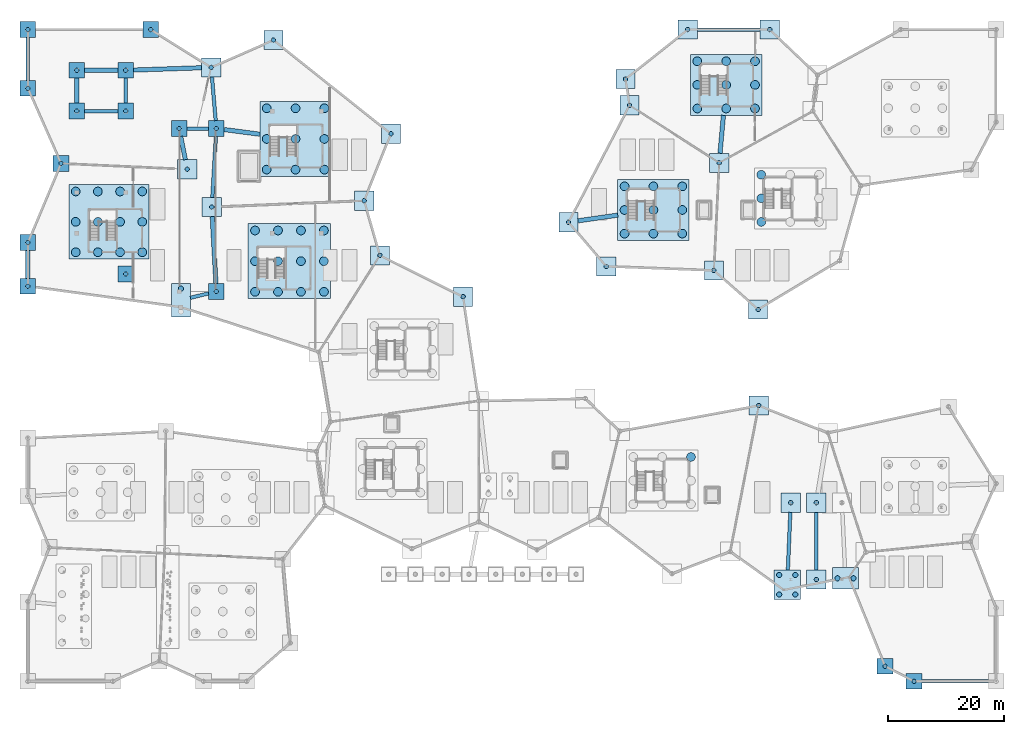
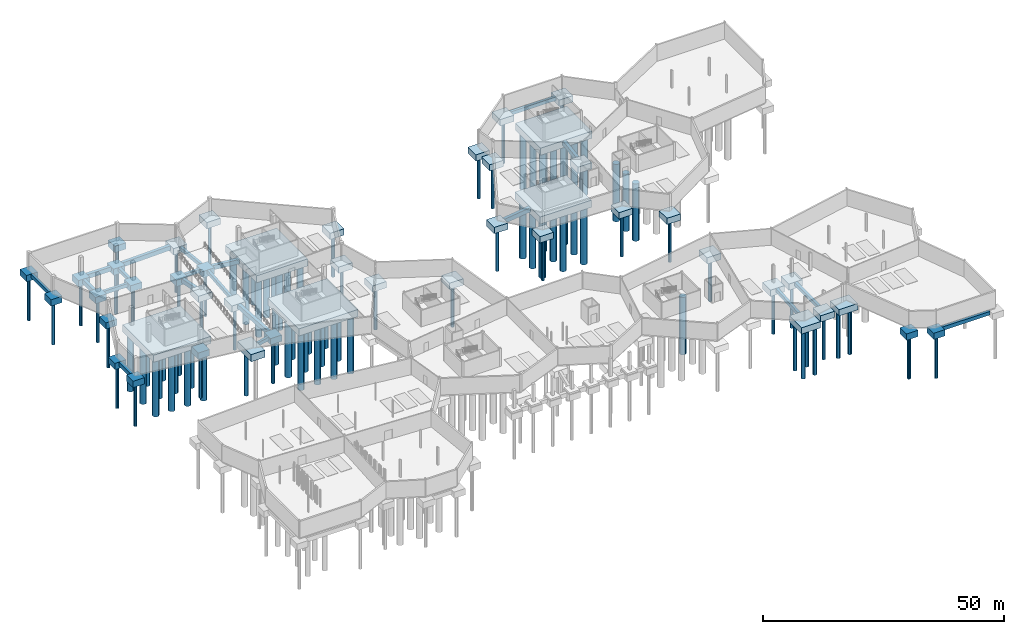
# One storey, part 2 of 37: 99 piles, 65 footings.
"""IFC4 building model written with IfcOpenShell, lengths in metres."""

from ifc_helpers import new_model, si_unit, direction, frame, origin, origin_2d, place, context, subcontext, project, spatial, rectangle, circle, extrude, material, material_profile, profile_set, type_object, element, save


model = new_model("IFC4")

# Units and contexts
model_context = context("Model", 3, precision=1e-05, world=origin(), true_north=direction((0.0, 1.0)))
body_context = subcontext(model_context, "Body", "Model", "MODEL_VIEW")
ifc_project = project(units=[si_unit("LENGTHUNIT", "METRE"), si_unit("AREAUNIT", "SQUARE_METRE"), si_unit("VOLUMEUNIT", "CUBIC_METRE"), si_unit("PLANEANGLEUNIT", "RADIAN"), si_unit("MASSUNIT", "GRAM", prefix="KILO")], contexts=[model_context])

# Site, building, storey
site_placement = place(None, origin())
site = spatial("IfcSite", under=ifc_project, at=site_placement, CompositionType="ELEMENT")
building_placement = place(site_placement, origin())
building = spatial("IfcBuilding", under=site, at=building_placement, Name="Tameran Prism Museum", CompositionType="ELEMENT")
storey_placement = place(building_placement, frame((0.0, 0.0, -4.5)))
storey = spatial("IfcBuildingStorey", under=building, at=storey_placement, Name="B1", CompositionType="ELEMENT", Elevation=-4.5)

# Footings
ifc_material_1 = material(Name="Concrete N40 (40 MPa)", Category="concrete")
ifc_material_profile_1 = material_profile(ifc_material_1, rectangle(XDim=0.60009765625, YDim=0.89990234375, at=origin_2d()))
ifc_profile_set_1 = profile_set([ifc_material_profile_1])
footing_type_1 = type_object("IfcFootingType", Name="FT-GB600", PredefinedType="FOOTING_BEAM", material=ifc_profile_set_1)
footing_1_placement = place(storey_placement, frame((0.0, 103.25, -0.8701171875), z_axis=(0.0, 1.0, 0.0), x_axis=(-1.0, 0.0, 0.0)))
element("IfcFooting", 1, at=footing_1_placement, inside=storey, type_object=footing_type_1, Name="Ground Beam GB-007", PredefinedType="FOOTING_BEAM", context=body_context, shape_type="SweptSolid", body=[
    extrude(rectangle(XDim=0.60009765625, YDim=0.89990234375, at=origin_2d()), origin(), (0.0, 0.0, 1.0), 7.39990234375),
])
footing_2_placement = place(storey_placement, frame((9.75, 98.0, -0.8701171875), z_axis=(1.0, 0.0, 0.0), x_axis=(0.0, 1.0, 0.0)))
element("IfcFooting", 2, at=footing_2_placement, inside=storey, type_object=footing_type_1, Name="Ground Beam GB-009", PredefinedType="FOOTING_BEAM", context=body_context, shape_type="SweptSolid", body=[
    extrude(rectangle(XDim=0.60009765625, YDim=0.89990234375, at=origin_2d()), origin(), (0.0, 0.0, 1.0), 5.699951171875),
])
footing_3_placement = place(storey_placement, frame((16.800048828125, 99.35009765625, -0.8701171875), z_axis=(0.0, 1.0, 0.0), x_axis=(-1.0, 0.0, 0.0)))
element("IfcFooting", 3, at=footing_3_placement, inside=storey, type_object=footing_type_1, Name="Ground Beam GB-011", PredefinedType="FOOTING_BEAM", context=body_context, shape_type="SweptSolid", body=[
    extrude(rectangle(XDim=0.60009765625, YDim=0.89990234375, at=origin_2d()), origin(), (0.0, 0.0, 1.0), 4.2998046875),
])
footing_4_placement = place(storey_placement, frame((27.949951171875, 65.906005859375, -0.8701171875), z_axis=(0.971097560698, 0.238682901791, 0.0), x_axis=(-0.238682901791, 0.971097560698, 0.0)))
element("IfcFooting", 4, at=footing_4_placement, inside=storey, type_object=footing_type_1, Name="Ground Beam GB-013", PredefinedType="FOOTING_BEAM", context=body_context, shape_type="SweptSolid", body=[
    extrude(rectangle(XDim=0.60009765625, YDim=0.89990234375, at=origin_2d()), origin(), (0.0, 0.0, 1.0), 3.1923828125),
])
footing_5_placement = place(storey_placement, frame((27.35009765625, 95.0, -0.8701171875), z_axis=(1.0, 0.0, 0.0), x_axis=(0.0, 1.0, 0.0)))
element("IfcFooting", 5, at=footing_5_placement, inside=storey, type_object=footing_type_1, Name="Ground Beam GB-015", PredefinedType="FOOTING_BEAM", context=body_context, shape_type="SweptSolid", body=[
    extrude(rectangle(XDim=0.60009765625, YDim=0.89990234375, at=origin_2d()), origin(), (0.0, 0.0, 1.0), 3.699951171875),
])
footing_6_placement = place(storey_placement, frame((31.64111328125, 103.85009765625, -0.8701171875), z_axis=(0.085396541828, -0.996347043276, 0.0), x_axis=(0.996347043276, 0.085396541828, 0.0)))
element("IfcFooting", 6, at=footing_6_placement, inside=storey, type_object=footing_type_1, Name="Ground Beam GB-017", PredefinedType="FOOTING_BEAM", context=body_context, shape_type="SweptSolid", body=[
    extrude(rectangle(XDim=0.60009765625, YDim=0.89990234375, at=origin_2d()), origin(), (0.0, 0.0, 1.0), 7.527587890625),
])
footing_7_placement = place(storey_placement, frame((31.697998046875, 83.14990234375, -0.8701171875), z_axis=(0.059141091583, 0.998249633752, 0.0), x_axis=(-0.998249633752, 0.059141091583, 0.0)))
element("IfcFooting", 7, at=footing_7_placement, inside=storey, type_object=footing_type_1, Name="Ground Beam GB-019", PredefinedType="FOOTING_BEAM", context=body_context, shape_type="SweptSolid", body=[
    extrude(rectangle(XDim=0.60009765625, YDim=0.89990234375, at=origin_2d()), origin(), (0.0, 0.0, 1.0), 10.518310546875),
])
footing_8_placement = place(storey_placement, frame((115.050048828125, 112.0, -0.8701171875), z_axis=(1.0, 0.0, 0.0), x_axis=(0.0, 1.0, 0.0)))
element("IfcFooting", 8, at=footing_8_placement, inside=storey, type_object=footing_type_1, Name="Ground Beam GB-037", PredefinedType="FOOTING_BEAM", context=body_context, shape_type="SweptSolid", body=[
    extrude(rectangle(XDim=0.60009765625, YDim=0.89990234375, at=origin_2d()), origin(), (0.0, 0.0, 1.0), 10.800048828125),
])
footing_9_placement = place(storey_placement, frame((130.60888671875, 19.14990234375, -0.8701171875), z_axis=(0.042500588446, 0.999096441782, 0.0), x_axis=(-0.999096441782, 0.042500588446, 0.0)))
element("IfcFooting", 9, at=footing_9_placement, inside=storey, type_object=footing_type_1, Name="Ground Beam GB-039", PredefinedType="FOOTING_BEAM", context=body_context, shape_type="SweptSolid", body=[
    extrude(rectangle(XDim=0.60009765625, YDim=0.89990234375, at=origin_2d()), origin(), (0.0, 0.0, 1.0), 9.9091796875),
])
footing_10_placement = place(storey_placement, frame((135.5, 19.14990234375, -0.8701171875), z_axis=(0.0, 1.0, 0.0), x_axis=(-1.0, 0.0, 0.0)))
element("IfcFooting", 10, at=footing_10_placement, inside=storey, type_object=footing_type_1, Name="Ground Beam GB-041", PredefinedType="FOOTING_BEAM", context=body_context, shape_type="SweptSolid", body=[
    extrude(rectangle(XDim=0.60009765625, YDim=0.89990234375, at=origin_2d()), origin(), (0.0, 0.0, 1.0), 9.900146484375),
])
footing_11_placement = place(storey_placement, frame((153.64990234375, 0.0, -0.8701171875), z_axis=(1.0, 0.0, 0.0), x_axis=(0.0, 1.0, 0.0)))
element("IfcFooting", 11, at=footing_11_placement, inside=storey, type_object=footing_type_1, Name="Ground Beam GB-045", PredefinedType="FOOTING_BEAM", context=body_context, shape_type="SweptSolid", body=[
    extrude(rectangle(XDim=0.60009765625, YDim=0.89990234375, at=origin_2d()), origin(), (0.0, 0.0, 1.0), 11.400146484375),
])
ifc_material_2 = material(Name="Concrete N40 (40 MPa)", Category="concrete")
ifc_material_profile_2 = material_profile(ifc_material_2, rectangle(XDim=0.75, YDim=1.10009765625, at=origin_2d()))
ifc_profile_set_2 = profile_set([ifc_material_profile_2])
footing_type_2 = type_object("IfcFootingType", Name="FT-GB750", PredefinedType="FOOTING_BEAM", material=ifc_profile_set_2)
footing_12_placement = place(storey_placement, frame((0.0, 69.25, -0.969970703125), z_axis=(0.0, 1.0, 0.0), x_axis=(-1.0, 0.0, 0.0)))
element("IfcFooting", 12, at=footing_12_placement, inside=storey, type_object=footing_type_2, Name="Ground Beam GB-006", PredefinedType="FOOTING_BEAM", context=body_context, shape_type="SweptSolid", body=[
    extrude(rectangle(XDim=0.75, YDim=1.10009765625, at=origin_2d()), origin(), (0.0, 0.0, 1.0), 4.800048828125),
])
footing_13_placement = place(storey_placement, frame((8.39990234375, 99.35009765625, -0.969970703125), z_axis=(0.0, 1.0, 0.0), x_axis=(-1.0, 0.0, 0.0)))
element("IfcFooting", 13, at=footing_13_placement, inside=storey, type_object=footing_type_2, Name="Ground Beam GB-008", PredefinedType="FOOTING_BEAM", context=body_context, shape_type="SweptSolid", body=[
    extrude(rectangle(XDim=0.75, YDim=1.10009765625, at=origin_2d()), origin(), (0.0, 0.0, 1.0), 4.2998046875),
])
footing_14_placement = place(storey_placement, frame((9.75, 105.0, -0.969970703125), z_axis=(1.0, 0.0, 0.0), x_axis=(0.0, 1.0, 0.0)))
element("IfcFooting", 14, at=footing_14_placement, inside=storey, type_object=footing_type_2, Name="Ground Beam GB-010", PredefinedType="FOOTING_BEAM", context=body_context, shape_type="SweptSolid", body=[
    extrude(rectangle(XDim=0.75, YDim=1.10009765625, at=origin_2d()), origin(), (0.0, 0.0, 1.0), 5.699951171875),
])
footing_15_placement = place(storey_placement, frame((18.14990234375, 105.0458984375, -0.969970703125), z_axis=(0.999421378267, 0.034013360069, 0.0), x_axis=(-0.034013360069, 0.999421378267, 0.0)))
element("IfcFooting", 15, at=footing_15_placement, inside=storey, type_object=footing_type_2, Name="Ground Beam GB-012", PredefinedType="FOOTING_BEAM", context=body_context, shape_type="SweptSolid", body=[
    extrude(rectangle(XDim=0.75, YDim=1.10009765625, at=origin_2d()), origin(), (0.0, 0.0, 1.0), 11.70703125),
])
footing_16_placement = place(storey_placement, frame((26.27001953125, 93.64990234375, -0.969970703125), z_axis=(0.196127644693, -0.98057837371, 0.0), x_axis=(0.98057837371, 0.196127644693, 0.0)))
element("IfcFooting", 16, at=footing_16_placement, inside=storey, type_object=footing_type_2, Name="Ground Beam GB-014", PredefinedType="FOOTING_BEAM", context=body_context, shape_type="SweptSolid", body=[
    extrude(rectangle(XDim=0.75, YDim=1.10009765625, at=origin_2d()), origin(), (0.0, 0.0, 1.0), 4.079345703125),
])
footing_17_placement = place(storey_placement, frame((31.69091796875, 79.85009765625, -0.969970703125), z_axis=(0.055134250806, -0.998478950398, 0.0), x_axis=(0.998478950398, 0.055134250806, 0.0)))
element("IfcFooting", 17, at=footing_17_placement, inside=storey, type_object=footing_type_2, Name="Ground Beam GB-018", PredefinedType="FOOTING_BEAM", context=body_context, shape_type="SweptSolid", body=[
    extrude(rectangle(XDim=0.75, YDim=1.10009765625, at=origin_2d()), origin(), (0.0, 0.0, 1.0), 11.517578125),
])
footing_18_placement = place(storey_placement, frame((33.75, 94.822021484375, -0.969970703125), z_axis=(0.991461563397, -0.13039926498, 0.0), x_axis=(0.13039926498, 0.991461563397, 0.0)))
element("IfcFooting", 18, at=footing_18_placement, inside=storey, type_object=footing_type_2, Name="Ground Beam GB-020", PredefinedType="FOOTING_BEAM", context=body_context, shape_type="SweptSolid", body=[
    extrude(rectangle(XDim=0.75, YDim=1.10009765625, at=origin_2d()), origin(), (0.0, 0.0, 1.0), 6.1728515625),
])
footing_19_placement = place(storey_placement, frame((94.550048828125, 79.136962890625, -0.969970703125), z_axis=(0.989813687173, 0.142368763023, 0.0), x_axis=(-0.142368763023, 0.989813687173, 0.0)))
element("IfcFooting", 19, at=footing_19_placement, inside=storey, type_object=footing_type_2, Name="Ground Beam GB-036", PredefinedType="FOOTING_BEAM", context=body_context, shape_type="SweptSolid", body=[
    extrude(rectangle(XDim=0.75, YDim=1.10009765625, at=origin_2d()), origin(), (0.0, 0.0, 1.0), 6.89013671875),
])
footing_20_placement = place(storey_placement, frame((119.531982421875, 97.27001953125, -0.969970703125), z_axis=(-0.089210759704, -0.99601277118, 0.0), x_axis=(0.99601277118, -0.089210759704, 0.0)))
element("IfcFooting", 20, at=footing_20_placement, inside=storey, type_object=footing_type_2, Name="Ground Beam GB-038", PredefinedType="FOOTING_BEAM", context=body_context, shape_type="SweptSolid", body=[
    extrude(rectangle(XDim=0.75, YDim=1.10009765625, at=origin_2d()), origin(), (0.0, 0.0, 1.0), 6.546142578125),
])
ifc_material_3 = material(Name="Concrete N40 (40 MPa)", Category="concrete")
footing_type_3 = type_object("IfcFootingType", Name="FT-PC-1226x1046x180", PredefinedType="PILE_CAP", material=ifc_material_3)
for number, where, z_axis, x_axis, name in (
    (21, (107.5, 81.0, -2.22021484375), (0.0, 0.0, 1.0), (1.0, 0.0, 0.0), "Pile Cap PC-70"),
    (22, (120.0, 102.5, -2.22021484375), (0.0, 0.0, 1.0), (1.0, 0.0, 0.0), "Pile Cap PC-75"),
):
    element("IfcFooting", number, at=place(storey_placement, frame(where, z_axis=z_axis, x_axis=x_axis)), inside=storey, type_object=footing_type_3, Name=name, PredefinedType="PILE_CAP", context=body_context, shape_type="SweptSolid", body=[
        extrude(rectangle(XDim=12.260009765625, YDim=10.4599609375, at=origin_2d()), origin(), (0.0, 0.0, 1.0), 1.800048828125),
    ])
ifc_material_4 = material(Name="Concrete N40 (40 MPa)", Category="concrete")
footing_type_4 = type_object("IfcFootingType", Name="FT-PC-1226x1288x180", PredefinedType="PILE_CAP", material=ifc_material_4)
footing_21_placement = place(storey_placement, frame((46.0, 93.2099609375, -2.22021484375), z_axis=(0.0, 0.0, 1.0), x_axis=(1.0, 0.0, 0.0)))
element("IfcFooting", 23, at=footing_21_placement, inside=storey, type_object=footing_type_4, Name="Pile Cap PC-36", PredefinedType="PILE_CAP", context=body_context, shape_type="SweptSolid", body=[
    extrude(rectangle(XDim=12.260009765625, YDim=12.8798828125, at=origin_2d()), origin(), (0.0, 0.0, 1.0), 1.800048828125),
])
ifc_material_5 = material(Name="Concrete N40 (40 MPa)", Category="concrete")
footing_type_5 = type_object("IfcFootingType", Name="FT-PC-1378x1278x180", PredefinedType="PILE_CAP", material=ifc_material_5)
footing_22_placement = place(storey_placement, frame((13.93994140625, 78.9599609375, -2.22021484375), z_axis=(0.0, 0.0, 1.0), x_axis=(1.0, 0.0, 0.0)))
element("IfcFooting", 24, at=footing_22_placement, inside=storey, type_object=footing_type_5, Name="Pile Cap PC-13", PredefinedType="PILE_CAP", context=body_context, shape_type="SweptSolid", body=[
    extrude(rectangle(XDim=13.780029296875, YDim=12.780029296875, at=origin_2d()), origin(), (0.0, 0.0, 1.0), 1.800048828125),
])
ifc_material_6 = material(Name="Concrete N40 (40 MPa)", Category="concrete")
footing_type_6 = type_object("IfcFootingType", Name="FT-PC-1418x1288x180", PredefinedType="PILE_CAP", material=ifc_material_6)
footing_23_placement = place(storey_placement, frame((44.9599609375, 72.2099609375, -2.22021484375), z_axis=(0.0, 0.0, 1.0), x_axis=(1.0, 0.0, 0.0)))
element("IfcFooting", 25, at=footing_23_placement, inside=storey, type_object=footing_type_6, Name="Pile Cap PC-35", PredefinedType="PILE_CAP", context=body_context, shape_type="SweptSolid", body=[
    extrude(rectangle(XDim=14.179931640625, YDim=12.8798828125, at=origin_2d()), origin(), (0.0, 0.0, 1.0), 1.800048828125),
])
ifc_material_7 = material(Name="Concrete N40 (40 MPa)", Category="concrete")
footing_type_7 = type_object("IfcFootingType", Name="FT-PC-270x270x160", PredefinedType="PILE_CAP", material=ifc_material_7)
for number, where, z_axis, x_axis, name in (
    (26, (0.0, 67.89990234375, -2.02001953125), (0.0, 0.0, 1.0), (1.0, 0.0, 0.0), "Pile Cap PC-05"),
    (27, (0.0, 75.39990234375, -2.02001953125), (0.0, 0.0, 1.0), (1.0, 0.0, 0.0), "Pile Cap PC-06"),
    (28, (0.0, 101.89990234375, -2.02001953125), (0.0, 0.0, 1.0), (1.0, 0.0, 0.0), "Pile Cap PC-07"),
    (29, (0.0, 112.0, -2.02001953125), (0.0, 0.0, 1.0), (1.0, 0.0, 0.0), "Pile Cap PC-08"),
    (30, (5.699951171875, 89.0, -2.02001953125), (0.0, 0.0, 1.0), (1.0, 0.0, 0.0), "Pile Cap PC-10"),
    (31, (8.39990234375, 98.0, -2.02001953125), (0.0, 0.0, 1.0), (1.0, 0.0, 0.0), "Pile Cap PC-14"),
    (32, (8.39990234375, 105.0, -2.02001953125), (0.0, 0.0, 1.0), (1.0, 0.0, 0.0), "Pile Cap PC-15"),
    (33, (16.800048828125, 70.0, -2.02001953125), (0.0, 0.0, 1.0), (1.0, 0.0, 0.0), "Pile Cap PC-17"),
    (34, (16.800048828125, 98.0, -2.02001953125), (0.0, 0.0, 1.0), (1.0, 0.0, 0.0), "Pile Cap PC-18"),
    (35, (16.800048828125, 105.0, -2.02001953125), (0.0, 0.0, 1.0), (1.0, 0.0, 0.0), "Pile Cap PC-19"),
    (36, (21.10009765625, 112.0, -2.02001953125), (0.0, 0.0, 1.0), (1.0, 0.0, 0.0), "Pile Cap PC-20"),
    (37, (26.0, 95.0, -2.02001953125), (0.0, 0.0, 1.0), (1.0, 0.0, 0.0), "Pile Cap PC-25"),
    (38, (32.39990234375, 67.0, -2.02001953125), (0.0, 0.0, 1.0), (1.0, 0.0, 0.0), "Pile Cap PC-32"),
    (39, (32.39990234375, 95.0, -2.02001953125), (0.0, 0.0, 1.0), (1.0, 0.0, 0.0), "Pile Cap PC-33"),
    (40, (147.300048828125, 2.60009765625, -2.02001953125), (0.0, 0.0, 1.0), (1.0, 0.0, 0.0), "Pile Cap PC-95"),
    (41, (152.300048828125, 0.0, -2.02001953125), (0.0, 0.0, 1.0), (1.0, 0.0, 0.0), "Pile Cap PC-99"),
):
    element("IfcFooting", number, at=place(storey_placement, frame(where, z_axis=z_axis, x_axis=x_axis)), inside=storey, type_object=footing_type_7, Name=name, PredefinedType="PILE_CAP", context=body_context, shape_type="SweptSolid", body=[
        extrude(rectangle(XDim=2.699951171875, YDim=2.699951171875, at=origin_2d()), origin(), (0.0, 0.0, 1.0), 1.60009765625),
    ])
ifc_material_8 = material(Name="Concrete N40 (40 MPa)", Category="concrete")
footing_type_8 = type_object("IfcFootingType", Name="FT-PC-330x330x160", PredefinedType="PILE_CAP", material=ifc_material_8)
for number, where, z_axis, x_axis, name in (
    (42, (27.39990234375, 88.0, -2.02001953125), (0.0, 0.0, 1.0), (1.0, 0.0, 0.0), "Pile Cap PC-26"),
    (43, (31.5, 105.5, -2.02001953125), (0.0, 0.0, 1.0), (1.0, 0.0, 0.0), "Pile Cap PC-30"),
    (44, (31.60009765625, 81.5, -2.02001953125), (0.0, 0.0, 1.0), (1.0, 0.0, 0.0), "Pile Cap PC-31"),
    (45, (42.199951171875, 110.199951171875, -2.02001953125), (0.0, 0.0, 1.0), (1.0, 0.0, 0.0), "Pile Cap PC-37"),
    (46, (57.800048828125, 82.60009765625, -2.02001953125), (0.0, 0.0, 1.0), (1.0, 0.0, 0.0), "Pile Cap PC-44"),
    (47, (60.5, 73.199951171875, -2.02001953125), (0.0, 0.0, 1.0), (1.0, 0.0, 0.0), "Pile Cap PC-47"),
    (48, (62.39990234375, 94.10009765625, -2.02001953125), (0.0, 0.0, 1.0), (1.0, 0.0, 0.0), "Pile Cap PC-49"),
    (49, (74.800048828125, 66.10009765625, -2.02001953125), (0.0, 0.0, 1.0), (1.0, 0.0, 0.0), "Pile Cap PC-53"),
    (50, (92.89990234375, 78.89990234375, -2.02001953125), (0.0, 0.0, 1.0), (1.0, 0.0, 0.0), "Pile Cap PC-63"),
    (51, (99.39990234375, 71.300048828125, -2.02001953125), (0.0, 0.0, 1.0), (1.0, 0.0, 0.0), "Pile Cap PC-67"),
    (52, (102.699951171875, 103.5, -2.02001953125), (0.0, 0.0, 1.0), (1.0, 0.0, 0.0), "Pile Cap PC-69"),
    (53, (103.39990234375, 99.0, -2.02001953125), (0.0, 0.0, 1.0), (1.0, 0.0, 0.0), "Pile Cap PC-71"),
    (54, (113.39990234375, 112.0, -2.02001953125), (0.0, 0.0, 1.0), (1.0, 0.0, 0.0), "Pile Cap PC-74"),
    (55, (117.89990234375, 70.60009765625, -2.02001953125), (0.0, 0.0, 1.0), (1.0, 0.0, 0.0), "Pile Cap PC-76"),
    (56, (118.800048828125, 89.10009765625, -2.02001953125), (0.0, 0.0, 1.0), (1.0, 0.0, 0.0), "Pile Cap PC-77"),
    (57, (125.5, 63.89990234375, -2.02001953125), (0.0, 0.0, 1.0), (1.0, 0.0, 0.0), "Pile Cap PC-79"),
    (58, (125.60009765625, 47.39990234375, -2.02001953125), (0.0, 0.0, 1.0), (1.0, 0.0, 0.0), "Pile Cap PC-80"),
    (59, (127.5, 112.0, -2.02001953125), (0.0, 0.0, 1.0), (1.0, 0.0, 0.0), "Pile Cap PC-82"),
    (60, (131.10009765625, 30.699951171875, -2.02001953125), (0.0, 0.0, 1.0), (1.0, 0.0, 0.0), "Pile Cap PC-84"),
    (61, (135.5, 17.5, -2.02001953125), (0.0, 0.0, 1.0), (1.0, 0.0, 0.0), "Pile Cap PC-86"),
    (62, (135.5, 30.699951171875, -2.02001953125), (0.0, 0.0, 1.0), (1.0, 0.0, 0.0), "Pile Cap PC-87"),
):
    element("IfcFooting", number, at=place(storey_placement, frame(where, z_axis=z_axis, x_axis=x_axis)), inside=storey, type_object=footing_type_8, Name=name, PredefinedType="PILE_CAP", context=body_context, shape_type="SweptSolid", body=[
        extrude(rectangle(XDim=3.300048828125, YDim=3.300048828125, at=origin_2d()), origin(), (0.0, 0.0, 1.0), 1.60009765625),
    ])
ifc_material_9 = material(Name="Concrete N40 (40 MPa)", Category="concrete")
footing_type_9 = type_object("IfcFootingType", Name="FT-PC-330x570x180", PredefinedType="PILE_CAP", material=ifc_material_9)
footing_24_placement = place(storey_placement, frame((26.300048828125, 65.5, -2.22021484375), z_axis=(0.0, 0.0, 1.0), x_axis=(1.0, 0.0, 0.0)))
element("IfcFooting", 63, at=footing_24_placement, inside=storey, type_object=footing_type_9, Name="Pile Cap PC-24", PredefinedType="PILE_CAP", context=body_context, shape_type="SweptSolid", body=[
    extrude(rectangle(XDim=3.300048828125, YDim=5.699951171875, at=origin_2d()), origin(), (0.0, 0.0, 1.0), 1.800048828125),
])
ifc_material_10 = material(Name="Concrete N40 (40 MPa)", Category="concrete")
footing_type_10 = type_object("IfcFootingType", Name="FT-PC-450x370x160", PredefinedType="PILE_CAP", material=ifc_material_10)
footing_25_placement = place(storey_placement, frame((140.5, 17.699951171875, -2.02001953125), z_axis=(0.0, 0.0, 1.0), x_axis=(1.0, 0.0, 0.0)))
element("IfcFooting", 64, at=footing_25_placement, inside=storey, type_object=footing_type_10, Name="Pile Cap PC-91", PredefinedType="PILE_CAP", context=body_context, shape_type="SweptSolid", body=[
    extrude(rectangle(XDim=4.5, YDim=3.699951171875, at=origin_2d()), origin(), (0.0, 0.0, 1.0), 1.60009765625),
])
ifc_material_11 = material(Name="Concrete N40 (40 MPa)", Category="concrete")
footing_type_11 = type_object("IfcFootingType", Name="FT-PC-450x510x160", PredefinedType="PILE_CAP", material=ifc_material_11)
footing_26_placement = place(storey_placement, frame((130.5, 16.60009765625, -2.02001953125), z_axis=(0.0, 0.0, 1.0), x_axis=(1.0, 0.0, 0.0)))
element("IfcFooting", 65, at=footing_26_placement, inside=storey, type_object=footing_type_11, Name="Pile Cap PC-83", PredefinedType="PILE_CAP", context=body_context, shape_type="SweptSolid", body=[
    extrude(rectangle(XDim=4.5, YDim=5.10009765625, at=origin_2d()), origin(), (0.0, 0.0, 1.0), 1.60009765625),
])

# Piles
ifc_material_12 = material(Name="Concrete N40 (40 MPa)", Category="concrete")
ifc_material_profile_3 = material_profile(ifc_material_12, circle(Radius=0.75, at=origin_2d()))
ifc_profile_set_3 = profile_set([ifc_material_profile_3])
pile_type_1 = type_object("IfcPileType", Name="PL-D1500", PredefinedType="BORED", material=ifc_profile_set_3)
for number, where, z_axis, x_axis, name in (
    (66, (8.219970703125, 73.739990234375, -2.10009765625), (0.0, 0.0, -1.0), (1.0, 0.0, 0.0), "Bored Pile BP-028"),
    (67, (8.219970703125, 78.9599609375, -2.10009765625), (0.0, 0.0, -1.0), (1.0, 0.0, 0.0), "Bored Pile BP-029"),
    (68, (8.219970703125, 84.179931640625, -2.10009765625), (0.0, 0.0, -1.0), (1.0, 0.0, 0.0), "Bored Pile BP-030"),
    (69, (12.032958984375, 73.739990234375, -2.10009765625), (0.0, 0.0, -1.0), (1.0, 0.0, 0.0), "Bored Pile BP-031"),
    (70, (12.032958984375, 78.9599609375, -2.10009765625), (0.0, 0.0, -1.0), (1.0, 0.0, 0.0), "Bored Pile BP-032"),
    (71, (12.032958984375, 84.179931640625, -2.10009765625), (0.0, 0.0, -1.0), (1.0, 0.0, 0.0), "Bored Pile BP-033"),
    (72, (15.846923828125, 73.739990234375, -2.10009765625), (0.0, 0.0, -1.0), (1.0, 0.0, 0.0), "Bored Pile BP-034"),
    (73, (15.846923828125, 78.9599609375, -2.10009765625), (0.0, 0.0, -1.0), (1.0, 0.0, 0.0), "Bored Pile BP-035"),
    (74, (15.846923828125, 84.179931640625, -2.10009765625), (0.0, 0.0, -1.0), (1.0, 0.0, 0.0), "Bored Pile BP-036"),
    (75, (19.659912109375, 73.739990234375, -2.10009765625), (0.0, 0.0, -1.0), (1.0, 0.0, 0.0), "Bored Pile BP-037"),
    (76, (19.659912109375, 78.9599609375, -2.10009765625), (0.0, 0.0, -1.0), (1.0, 0.0, 0.0), "Bored Pile BP-038"),
    (77, (19.659912109375, 84.179931640625, -2.10009765625), (0.0, 0.0, -1.0), (1.0, 0.0, 0.0), "Bored Pile BP-039"),
    (78, (39.0400390625, 66.93994140625, -2.10009765625), (0.0, 0.0, -1.0), (1.0, 0.0, 0.0), "Bored Pile BP-081"),
    (79, (39.0400390625, 72.2099609375, -2.10009765625), (0.0, 0.0, -1.0), (1.0, 0.0, 0.0), "Bored Pile BP-082"),
    (80, (39.0400390625, 77.47998046875, -2.10009765625), (0.0, 0.0, -1.0), (1.0, 0.0, 0.0), "Bored Pile BP-083"),
    (81, (42.987060546875, 66.93994140625, -2.10009765625), (0.0, 0.0, -1.0), (1.0, 0.0, 0.0), "Bored Pile BP-084"),
    (82, (42.987060546875, 72.2099609375, -2.10009765625), (0.0, 0.0, -1.0), (1.0, 0.0, 0.0), "Bored Pile BP-085"),
    (83, (42.987060546875, 77.47998046875, -2.10009765625), (0.0, 0.0, -1.0), (1.0, 0.0, 0.0), "Bored Pile BP-086"),
    (84, (46.93310546875, 66.93994140625, -2.10009765625), (0.0, 0.0, -1.0), (1.0, 0.0, 0.0), "Bored Pile BP-087"),
    (85, (46.93310546875, 72.2099609375, -2.10009765625), (0.0, 0.0, -1.0), (1.0, 0.0, 0.0), "Bored Pile BP-088"),
    (86, (46.93310546875, 77.47998046875, -2.10009765625), (0.0, 0.0, -1.0), (1.0, 0.0, 0.0), "Bored Pile BP-089"),
    (87, (50.8798828125, 66.93994140625, -2.10009765625), (0.0, 0.0, -1.0), (1.0, 0.0, 0.0), "Bored Pile BP-090"),
    (88, (50.8798828125, 72.2099609375, -2.10009765625), (0.0, 0.0, -1.0), (1.0, 0.0, 0.0), "Bored Pile BP-091"),
    (89, (50.8798828125, 77.47998046875, -2.10009765625), (0.0, 0.0, -1.0), (1.0, 0.0, 0.0), "Bored Pile BP-092"),
    (90, (41.0400390625, 87.93994140625, -2.10009765625), (0.0, 0.0, -1.0), (1.0, 0.0, 0.0), "Bored Pile BP-093"),
    (91, (41.0400390625, 93.2099609375, -2.10009765625), (0.0, 0.0, -1.0), (1.0, 0.0, 0.0), "Bored Pile BP-094"),
    (92, (41.0400390625, 98.47998046875, -2.10009765625), (0.0, 0.0, -1.0), (1.0, 0.0, 0.0), "Bored Pile BP-095"),
    (93, (46.0, 87.93994140625, -2.10009765625), (0.0, 0.0, -1.0), (1.0, 0.0, 0.0), "Bored Pile BP-096"),
    (94, (46.0, 93.2099609375, -2.10009765625), (0.0, 0.0, -1.0), (1.0, 0.0, 0.0), "Bored Pile BP-097"),
    (95, (46.0, 98.47998046875, -2.10009765625), (0.0, 0.0, -1.0), (1.0, 0.0, 0.0), "Bored Pile BP-098"),
    (96, (50.9599609375, 87.93994140625, -2.10009765625), (0.0, 0.0, -1.0), (1.0, 0.0, 0.0), "Bored Pile BP-099"),
    (97, (50.9599609375, 93.2099609375, -2.10009765625), (0.0, 0.0, -1.0), (1.0, 0.0, 0.0), "Bored Pile BP-100"),
    (98, (50.9599609375, 98.47998046875, -2.10009765625), (0.0, 0.0, -1.0), (1.0, 0.0, 0.0), "Bored Pile BP-101"),
    (99, (102.5400390625, 76.93994140625, -2.10009765625), (0.0, 0.0, -1.0), (1.0, 0.0, 0.0), "Bored Pile BP-153"),
    (100, (102.5400390625, 81.0, -2.10009765625), (0.0, 0.0, -1.0), (1.0, 0.0, 0.0), "Bored Pile BP-154"),
    (101, (102.5400390625, 85.06005859375, -2.10009765625), (0.0, 0.0, -1.0), (1.0, 0.0, 0.0), "Bored Pile BP-155"),
    (102, (107.5, 76.93994140625, -2.10009765625), (0.0, 0.0, -1.0), (1.0, 0.0, 0.0), "Bored Pile BP-156"),
    (103, (107.5, 81.0, -2.10009765625), (0.0, 0.0, -1.0), (1.0, 0.0, 0.0), "Bored Pile BP-157"),
    (104, (107.5, 85.06005859375, -2.10009765625), (0.0, 0.0, -1.0), (1.0, 0.0, 0.0), "Bored Pile BP-158"),
    (105, (112.4599609375, 76.93994140625, -2.10009765625), (0.0, 0.0, -1.0), (1.0, 0.0, 0.0), "Bored Pile BP-159"),
    (106, (112.4599609375, 81.0, -2.10009765625), (0.0, 0.0, -1.0), (1.0, 0.0, 0.0), "Bored Pile BP-160"),
    (107, (112.4599609375, 85.06005859375, -2.10009765625), (0.0, 0.0, -1.0), (1.0, 0.0, 0.0), "Bored Pile BP-161"),
    (108, (113.9599609375, 38.56005859375, -2.10009765625), (0.0, 0.0, -1.0), (1.0, 0.0, 0.0), "Bored Pile BP-171"),
    (109, (115.0400390625, 98.43994140625, -2.10009765625), (0.0, 0.0, -1.0), (1.0, 0.0, 0.0), "Bored Pile BP-174"),
    (110, (115.0400390625, 102.5, -2.10009765625), (0.0, 0.0, -1.0), (1.0, 0.0, 0.0), "Bored Pile BP-175"),
    (111, (115.0400390625, 106.56005859375, -2.10009765625), (0.0, 0.0, -1.0), (1.0, 0.0, 0.0), "Bored Pile BP-176"),
    (112, (120.0, 98.43994140625, -2.10009765625), (0.0, 0.0, -1.0), (1.0, 0.0, 0.0), "Bored Pile BP-177"),
    (113, (120.0, 102.5, -2.10009765625), (0.0, 0.0, -1.0), (1.0, 0.0, 0.0), "Bored Pile BP-178"),
    (114, (120.0, 106.56005859375, -2.10009765625), (0.0, 0.0, -1.0), (1.0, 0.0, 0.0), "Bored Pile BP-179"),
    (115, (124.9599609375, 98.43994140625, -2.10009765625), (0.0, 0.0, -1.0), (1.0, 0.0, 0.0), "Bored Pile BP-180"),
    (116, (124.9599609375, 102.5, -2.10009765625), (0.0, 0.0, -1.0), (1.0, 0.0, 0.0), "Bored Pile BP-181"),
    (117, (124.9599609375, 106.56005859375, -2.10009765625), (0.0, 0.0, -1.0), (1.0, 0.0, 0.0), "Bored Pile BP-182"),
    (118, (126.0400390625, 78.93994140625, -2.10009765625), (0.0, 0.0, -1.0), (1.0, 0.0, 0.0), "Bored Pile BP-188"),
    (119, (126.0400390625, 83.0, -2.10009765625), (0.0, 0.0, -1.0), (1.0, 0.0, 0.0), "Bored Pile BP-189"),
    (120, (126.0400390625, 87.06005859375, -2.10009765625), (0.0, 0.0, -1.0), (1.0, 0.0, 0.0), "Bored Pile BP-190"),
):
    element("IfcPile", number, at=place(storey_placement, frame(where, z_axis=z_axis, x_axis=x_axis)), inside=storey, type_object=pile_type_1, Name=name, PredefinedType="BORED", context=body_context, shape_type="SweptSolid", body=[
        extrude(circle(Radius=0.75, at=origin_2d()), origin(), (0.0, 0.0, 1.0), 14.5),
    ])
ifc_material_13 = material(Name="Concrete N40 (40 MPa)", Category="concrete")
ifc_material_profile_4 = material_profile(ifc_material_13, circle(Radius=0.375, at=origin_2d()))
ifc_profile_set_4 = profile_set([ifc_material_profile_4])
pile_type_2 = type_object("IfcPileType", Name="PL-D750", PredefinedType="BORED", material=ifc_profile_set_4)
for number, where, z_axis, x_axis, name in (
    (121, (0.0, 67.89990234375, -1.89990234375), (0.0, 0.0, -1.0), (1.0, 0.0, 0.0), "Bored Pile BP-005"),
    (122, (0.0, 75.39990234375, -1.89990234375), (0.0, 0.0, -1.0), (1.0, 0.0, 0.0), "Bored Pile BP-006"),
    (123, (0.0, 101.89990234375, -1.89990234375), (0.0, 0.0, -1.0), (1.0, 0.0, 0.0), "Bored Pile BP-007"),
    (124, (0.0, 112.0, -1.89990234375), (0.0, 0.0, -1.0), (1.0, 0.0, 0.0), "Bored Pile BP-008"),
    (125, (5.699951171875, 89.0, -1.89990234375), (0.0, 0.0, -1.0), (1.0, 0.0, 0.0), "Bored Pile BP-010"),
    (126, (8.39990234375, 98.0, -1.89990234375), (0.0, 0.0, -1.0), (1.0, 0.0, 0.0), "Bored Pile BP-040"),
    (127, (8.39990234375, 105.0, -1.89990234375), (0.0, 0.0, -1.0), (1.0, 0.0, 0.0), "Bored Pile BP-041"),
    (128, (16.800048828125, 70.0, -1.89990234375), (0.0, 0.0, -1.0), (1.0, 0.0, 0.0), "Bored Pile BP-043"),
    (129, (16.800048828125, 98.0, -1.89990234375), (0.0, 0.0, -1.0), (1.0, 0.0, 0.0), "Bored Pile BP-044"),
    (130, (16.800048828125, 105.0, -1.89990234375), (0.0, 0.0, -1.0), (1.0, 0.0, 0.0), "Bored Pile BP-045"),
    (131, (21.10009765625, 112.0, -1.89990234375), (0.0, 0.0, -1.0), (1.0, 0.0, 0.0), "Bored Pile BP-046"),
    (132, (26.0, 95.0, -1.89990234375), (0.0, 0.0, -1.0), (1.0, 0.0, 0.0), "Bored Pile BP-055"),
    (133, (27.39990234375, 88.0, -1.89990234375), (0.0, 0.0, -1.0), (1.0, 0.0, 0.0), "Bored Pile BP-056"),
    (134, (31.5, 105.5, -1.89990234375), (0.0, 0.0, -1.0), (1.0, 0.0, 0.0), "Bored Pile BP-076"),
    (135, (31.60009765625, 81.5, -1.89990234375), (0.0, 0.0, -1.0), (1.0, 0.0, 0.0), "Bored Pile BP-077"),
    (136, (32.39990234375, 67.0, -1.89990234375), (0.0, 0.0, -1.0), (1.0, 0.0, 0.0), "Bored Pile BP-078"),
    (137, (32.39990234375, 95.0, -1.89990234375), (0.0, 0.0, -1.0), (1.0, 0.0, 0.0), "Bored Pile BP-079"),
    (138, (42.199951171875, 110.199951171875, -1.89990234375), (0.0, 0.0, -1.0), (1.0, 0.0, 0.0), "Bored Pile BP-102"),
    (139, (57.800048828125, 82.60009765625, -1.89990234375), (0.0, 0.0, -1.0), (1.0, 0.0, 0.0), "Bored Pile BP-109"),
    (140, (60.5, 73.199951171875, -1.89990234375), (0.0, 0.0, -1.0), (1.0, 0.0, 0.0), "Bored Pile BP-128"),
    (141, (62.39990234375, 94.10009765625, -1.89990234375), (0.0, 0.0, -1.0), (1.0, 0.0, 0.0), "Bored Pile BP-130"),
    (142, (74.800048828125, 66.10009765625, -1.89990234375), (0.0, 0.0, -1.0), (1.0, 0.0, 0.0), "Bored Pile BP-134"),
    (143, (92.89990234375, 78.89990234375, -1.89990234375), (0.0, 0.0, -1.0), (1.0, 0.0, 0.0), "Bored Pile BP-146"),
    (144, (99.39990234375, 71.300048828125, -1.89990234375), (0.0, 0.0, -1.0), (1.0, 0.0, 0.0), "Bored Pile BP-150"),
    (145, (102.699951171875, 103.5, -1.89990234375), (0.0, 0.0, -1.0), (1.0, 0.0, 0.0), "Bored Pile BP-152"),
    (146, (103.39990234375, 99.0, -1.89990234375), (0.0, 0.0, -1.0), (1.0, 0.0, 0.0), "Bored Pile BP-162"),
    (147, (113.39990234375, 112.0, -1.89990234375), (0.0, 0.0, -1.0), (1.0, 0.0, 0.0), "Bored Pile BP-173"),
    (148, (117.89990234375, 70.60009765625, -1.89990234375), (0.0, 0.0, -1.0), (1.0, 0.0, 0.0), "Bored Pile BP-183"),
    (149, (118.800048828125, 89.10009765625, -1.89990234375), (0.0, 0.0, -1.0), (1.0, 0.0, 0.0), "Bored Pile BP-184"),
    (150, (125.5, 63.89990234375, -1.89990234375), (0.0, 0.0, -1.0), (1.0, 0.0, 0.0), "Bored Pile BP-186"),
    (151, (125.60009765625, 47.39990234375, -1.89990234375), (0.0, 0.0, -1.0), (1.0, 0.0, 0.0), "Bored Pile BP-187"),
    (152, (127.5, 112.0, -1.89990234375), (0.0, 0.0, -1.0), (1.0, 0.0, 0.0), "Bored Pile BP-197"),
    (153, (131.10009765625, 30.699951171875, -1.89990234375), (0.0, 0.0, -1.0), (1.0, 0.0, 0.0), "Bored Pile BP-202"),
    (154, (135.5, 17.5, -1.89990234375), (0.0, 0.0, -1.0), (1.0, 0.0, 0.0), "Bored Pile BP-204"),
    (155, (135.5, 30.699951171875, -1.89990234375), (0.0, 0.0, -1.0), (1.0, 0.0, 0.0), "Bored Pile BP-205"),
    (156, (147.300048828125, 2.60009765625, -1.89990234375), (0.0, 0.0, -1.0), (1.0, 0.0, 0.0), "Bored Pile BP-214"),
    (157, (152.300048828125, 0.0, -1.89990234375), (0.0, 0.0, -1.0), (1.0, 0.0, 0.0), "Bored Pile BP-234"),
):
    element("IfcPile", number, at=place(storey_placement, frame(where, z_axis=z_axis, x_axis=x_axis)), inside=storey, type_object=pile_type_2, Name=name, PredefinedType="BORED", context=body_context, shape_type="SweptSolid", body=[
        extrude(circle(Radius=0.375, at=origin_2d()), origin(), (0.0, 0.0, 1.0), 11.0),
    ])
ifc_material_14 = material(Name="Concrete N40 (40 MPa)", Category="concrete")
ifc_material_profile_5 = material_profile(ifc_material_14, circle(Radius=0.449951171875, at=origin_2d()))
ifc_profile_set_5 = profile_set([ifc_material_profile_5])
pile_type_3 = type_object("IfcPileType", Name="PL-D900", PredefinedType="BORED", material=ifc_profile_set_5)
for number, where, z_axis, x_axis, name in (
    (158, (26.300048828125, 67.47998046875, -2.10009765625), (0.0, 0.0, -1.0), (1.0, 0.0, 0.0), "Bored Pile BP-054"),
    (159, (129.1201171875, 14.919921875, -1.89990234375), (0.0, 0.0, -1.0), (1.0, 0.0, 0.0), "Bored Pile BP-198"),
    (160, (129.1201171875, 18.280029296875, -1.89990234375), (0.0, 0.0, -1.0), (1.0, 0.0, 0.0), "Bored Pile BP-199"),
    (161, (131.8798828125, 14.919921875, -1.89990234375), (0.0, 0.0, -1.0), (1.0, 0.0, 0.0), "Bored Pile BP-200"),
    (162, (131.8798828125, 18.280029296875, -1.89990234375), (0.0, 0.0, -1.0), (1.0, 0.0, 0.0), "Bored Pile BP-201"),
    (163, (139.1201171875, 17.699951171875, -1.89990234375), (0.0, 0.0, -1.0), (1.0, 0.0, 0.0), "Bored Pile BP-209"),
    (164, (141.8798828125, 17.699951171875, -1.89990234375), (0.0, 0.0, -1.0), (1.0, 0.0, 0.0), "Bored Pile BP-210"),
):
    element("IfcPile", number, at=place(storey_placement, frame(where, z_axis=z_axis, x_axis=x_axis)), inside=storey, type_object=pile_type_3, Name=name, PredefinedType="BORED", context=body_context, shape_type="SweptSolid", body=[
        extrude(circle(Radius=0.449951171875, at=origin_2d()), origin(), (0.0, 0.0, 1.0), 12.0),
    ])

save(model, "model.ifc")
